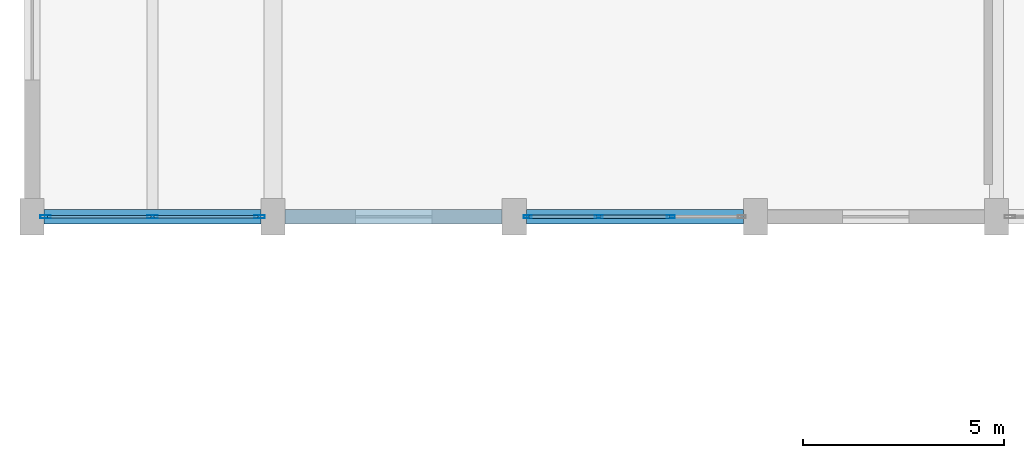
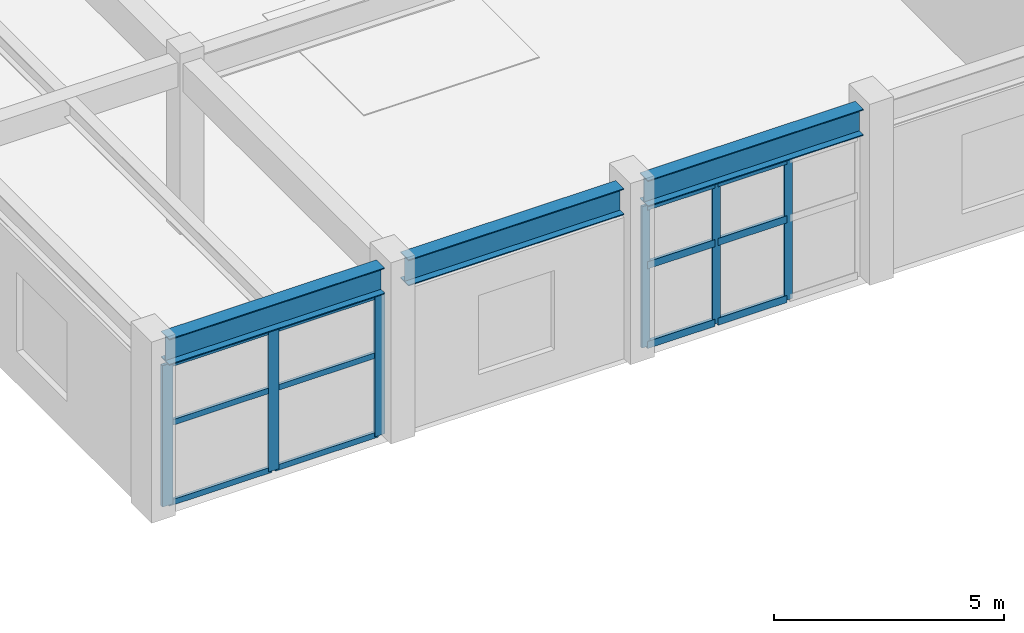
# One storey, part 8 of 80: 18 members, 3 beams, 2 elements without a shape of their own.
"""IFC4 building model written with IfcOpenShell, lengths in metres."""

from ifc_helpers import new_model, si_unit, direction, frame, origin, origin_2d, place, context, subcontext, project, spatial, hollow_rectangle, i_section, extrude, material, layer, layer_set, material_profile, profile_set, type_object, element, aggregate, save


model = new_model("IFC4")

# Units and contexts
model_context = context("Model", 3, precision=1e-05, world=origin(), true_north=direction((0.0, 1.0)))
body_context = subcontext(model_context, "Body", "Model", "MODEL_VIEW")
ifc_project = project(units=[si_unit("LENGTHUNIT", "METRE"), si_unit("AREAUNIT", "SQUARE_METRE"), si_unit("VOLUMEUNIT", "CUBIC_METRE"), si_unit("PLANEANGLEUNIT", "RADIAN"), si_unit("MASSUNIT", "GRAM", prefix="KILO")], contexts=[model_context])

# Site, building, storey
site_placement = place(None, origin())
site = spatial("IfcSite", under=ifc_project, at=site_placement, CompositionType="ELEMENT")
building_placement = place(site_placement, origin())
building = spatial("IfcBuilding", under=site, at=building_placement, Name="Vaelkrest Opera House", CompositionType="ELEMENT")
storey_placement = place(building_placement, frame((0.0, 0.0, 15.0)))
storey = spatial("IfcBuildingStorey", under=building, at=storey_placement, Name="L03", CompositionType="ELEMENT", Elevation=15.0)

# Curtain wall, members
ifc_material_1 = material(Name="Dark bronze anodized aluminium", Category="aluminium")
ifc_layer_1 = layer(ifc_material_1, 0.22998046875)
ifc_layer_set_1 = layer_set([ifc_layer_1], Name="Dark bronze anodized aluminium")
curtain_wall_type_1 = type_object("IfcCurtainWallType", Name="CW06", PredefinedType="NOTDEFINED", material=ifc_layer_set_1)
curtain_wall_1_placement = place(storey_placement, origin())
curtain_wall_1 = element("IfcCurtainWall", 1, at=curtain_wall_1_placement, inside=storey, type_object=curtain_wall_type_1, Name="Curtain wall CW-L03-127", PredefinedType="NOTDEFINED")
ifc_material_profile_1 = material_profile(ifc_material_1, hollow_rectangle(XDim=0.070068359375, YDim=0.199951171875, WallThickness=0.004150390625, at=origin_2d()), Name="CWM70X200")
ifc_profile_set_1 = profile_set([ifc_material_profile_1], Name="Dark bronze anodized aluminium")
member_type_1 = type_object("IfcMemberType", Name="CWM02", PredefinedType="MULLION", material=ifc_profile_set_1)
member_1_placement = place(storey_placement, frame((-59.69921875, -16.800048828125, 0.0), z_axis=(0.0, 0.0, 1.0), x_axis=(0.0, -1.0, 0.0)))
member_1 = element("IfcMember", 2, at=member_1_placement, type_object=member_type_1, Name="CW06 mullion 2", PredefinedType="MULLION", context=body_context, shape_type="SweptSolid", body=[
    extrude(hollow_rectangle(XDim=0.070068359375, YDim=0.199951171875, WallThickness=0.004150390625, at=origin_2d()), origin(), (0.0, 0.0, 1.0), 3.7451171875),
])
member_2_placement = place(storey_placement, frame((-61.500732421875, -16.800048828125, 0.0), z_axis=(0.0, 0.0, 1.0), x_axis=(0.0, -1.0, 0.0)))
member_2 = element("IfcMember", 3, at=member_2_placement, type_object=member_type_1, Name="CW06 mullion 3", PredefinedType="MULLION", context=body_context, shape_type="SweptSolid", body=[
    extrude(hollow_rectangle(XDim=0.070068359375, YDim=0.199951171875, WallThickness=0.004150390625, at=origin_2d()), origin(), (0.0, 0.0, 1.0), 3.7451171875),
])
member_3_placement = place(storey_placement, frame((-63.26708984375, -16.800048828125, 0.0), z_axis=(0.0, 0.0, 1.0), x_axis=(0.0, -1.0, 0.0)))
member_3 = element("IfcMember", 4, at=member_3_placement, type_object=member_type_1, Name="CW06 mullion 4", PredefinedType="MULLION", context=body_context, shape_type="SweptSolid", body=[
    extrude(hollow_rectangle(XDim=0.070068359375, YDim=0.199951171875, WallThickness=0.004150390625, at=origin_2d()), origin(), (0.0, 0.0, 1.0), 3.7451171875),
])

ifc_layer_2 = layer(ifc_material_1, 0.25)
ifc_layer_set_2 = layer_set([ifc_layer_2], Name="Dark bronze anodized aluminium")
curtain_wall_type_2 = type_object("IfcCurtainWallType", Name="CW08", PredefinedType="NOTDEFINED", material=ifc_layer_set_2)
curtain_wall_2_placement = place(storey_placement, origin())
curtain_wall_2 = element("IfcCurtainWall", 5, at=curtain_wall_2_placement, inside=storey, type_object=curtain_wall_type_2, Name="Curtain wall CW-L03-128", PredefinedType="NOTDEFINED")
ifc_material_profile_2 = material_profile(ifc_material_1, hollow_rectangle(XDim=0.080078125, YDim=0.260009765625, WallThickness=0.0048828125, at=origin_2d()), Name="CWM80X260")
ifc_profile_set_2 = profile_set([ifc_material_profile_2], Name="Dark bronze anodized aluminium")
member_type_2 = type_object("IfcMemberType", Name="CWM04", PredefinedType="MULLION", material=ifc_profile_set_2)
member_4_placement = place(storey_placement, frame((-69.93798828125, -16.800048828125, 0.0), z_axis=(0.0, 0.0, 1.0), x_axis=(0.0, -1.0, 0.0)))
member_4 = element("IfcMember", 6, at=member_4_placement, type_object=member_type_2, Name="CW08 mullion 1", PredefinedType="MULLION", context=body_context, shape_type="SweptSolid", body=[
    extrude(hollow_rectangle(XDim=0.080078125, YDim=0.260009765625, WallThickness=0.0048828125, at=origin_2d()), origin(), (0.0, 0.0, 1.0), 3.7451171875),
])
member_5_placement = place(storey_placement, frame((-72.60009765625, -16.800048828125, 0.0), z_axis=(0.0, 0.0, 1.0), x_axis=(0.0, -1.0, 0.0)))
member_5 = element("IfcMember", 7, at=member_5_placement, type_object=member_type_2, Name="CW08 mullion 2", PredefinedType="MULLION", context=body_context, shape_type="SweptSolid", body=[
    extrude(hollow_rectangle(XDim=0.080078125, YDim=0.260009765625, WallThickness=0.0048828125, at=origin_2d()), origin(), (0.0, 0.0, 1.0), 3.7451171875),
])
member_6_placement = place(storey_placement, frame((-75.261962890625, -16.800048828125, 0.0), z_axis=(0.0, 0.0, 1.0), x_axis=(0.0, -1.0, 0.0)))
member_6 = element("IfcMember", 8, at=member_6_placement, type_object=member_type_2, Name="CW08 mullion 3", PredefinedType="MULLION", context=body_context, shape_type="SweptSolid", body=[
    extrude(hollow_rectangle(XDim=0.080078125, YDim=0.260009765625, WallThickness=0.0048828125, at=origin_2d()), origin(), (0.0, 0.0, 1.0), 3.7451171875),
])
ifc_material_profile_3 = material_profile(ifc_material_1, hollow_rectangle(XDim=0.070068359375, YDim=0.14990234375, WallThickness=0.004150390625, at=origin_2d()), Name="CWT70X150")
ifc_profile_set_3 = profile_set([ifc_material_profile_3], Name="Dark bronze anodized aluminium")
member_type_3 = type_object("IfcMemberType", Name="CWT02", PredefinedType="USERDEFINED", material=ifc_profile_set_3)
member_7_placement = place(storey_placement, frame((-69.97802734375, -16.800048828125, 0.034912109375), z_axis=(-1.0, 0.0, 0.0), x_axis=(0.0, -1.0, 0.0)))
member_7 = element("IfcMember", 9, at=member_7_placement, type_object=member_type_3, Name="CW08 transom 1.1", ObjectType="TRANSOM", PredefinedType="USERDEFINED", context=body_context, shape_type="SweptSolid", body=[
    extrude(hollow_rectangle(XDim=0.070068359375, YDim=0.14990234375, WallThickness=0.004150390625, at=origin_2d()), origin(), (0.0, 0.0, 1.0), 2.58203125),
])
member_8_placement = place(storey_placement, frame((-69.97802734375, -16.800048828125, 2.14990234375), z_axis=(-1.0, 0.0, 0.0), x_axis=(0.0, -1.0, 0.0)))
member_8 = element("IfcMember", 10, at=member_8_placement, type_object=member_type_3, Name="CW08 transom 1.2", ObjectType="TRANSOM", PredefinedType="USERDEFINED", context=body_context, shape_type="SweptSolid", body=[
    extrude(hollow_rectangle(XDim=0.070068359375, YDim=0.14990234375, WallThickness=0.004150390625, at=origin_2d()), origin(), (0.0, 0.0, 1.0), 2.58203125),
])
member_9_placement = place(storey_placement, frame((-69.97802734375, -16.800048828125, 3.7099609375), z_axis=(-1.0, 0.0, 0.0), x_axis=(0.0, -1.0, 0.0)))
member_9 = element("IfcMember", 11, at=member_9_placement, type_object=member_type_3, Name="CW08 transom 1.3", ObjectType="TRANSOM", PredefinedType="USERDEFINED", context=body_context, shape_type="SweptSolid", body=[
    extrude(hollow_rectangle(XDim=0.070068359375, YDim=0.14990234375, WallThickness=0.004150390625, at=origin_2d()), origin(), (0.0, 0.0, 1.0), 2.58203125),
])
member_10_placement = place(storey_placement, frame((-72.639892578125, -16.800048828125, 0.034912109375), z_axis=(-1.0, 0.0, 0.0), x_axis=(0.0, -1.0, 0.0)))
member_10 = element("IfcMember", 12, at=member_10_placement, type_object=member_type_3, Name="CW08 transom 2.1", ObjectType="TRANSOM", PredefinedType="USERDEFINED", context=body_context, shape_type="SweptSolid", body=[
    extrude(hollow_rectangle(XDim=0.070068359375, YDim=0.14990234375, WallThickness=0.004150390625, at=origin_2d()), origin(), (0.0, 0.0, 1.0), 2.58203125),
])
member_11_placement = place(storey_placement, frame((-72.639892578125, -16.800048828125, 2.14990234375), z_axis=(-1.0, 0.0, 0.0), x_axis=(0.0, -1.0, 0.0)))
member_11 = element("IfcMember", 13, at=member_11_placement, type_object=member_type_3, Name="CW08 transom 2.2", ObjectType="TRANSOM", PredefinedType="USERDEFINED", context=body_context, shape_type="SweptSolid", body=[
    extrude(hollow_rectangle(XDim=0.070068359375, YDim=0.14990234375, WallThickness=0.004150390625, at=origin_2d()), origin(), (0.0, 0.0, 1.0), 2.58203125),
])
member_12_placement = place(storey_placement, frame((-72.639892578125, -16.800048828125, 3.7099609375), z_axis=(-1.0, 0.0, 0.0), x_axis=(0.0, -1.0, 0.0)))
member_12 = element("IfcMember", 14, at=member_12_placement, type_object=member_type_3, Name="CW08 transom 2.3", ObjectType="TRANSOM", PredefinedType="USERDEFINED", context=body_context, shape_type="SweptSolid", body=[
    extrude(hollow_rectangle(XDim=0.070068359375, YDim=0.14990234375, WallThickness=0.004150390625, at=origin_2d()), origin(), (0.0, 0.0, 1.0), 2.58203125),
])
aggregate(curtain_wall_2, [member_4, member_5, member_6, member_7, member_8, member_9, member_10, member_11, member_12])

# Member
ifc_material_profile_4 = material_profile(ifc_material_1, hollow_rectangle(XDim=0.080078125, YDim=0.18994140625, WallThickness=0.0048828125, at=origin_2d()), Name="CWT80X190")
ifc_profile_set_4 = profile_set([ifc_material_profile_4], Name="Dark bronze anodized aluminium")
member_type_4 = type_object("IfcMemberType", Name="CWT04", PredefinedType="USERDEFINED", material=ifc_profile_set_4)
member_13_placement = place(storey_placement, frame((-59.734375, -16.800048828125, 0.0400390625), z_axis=(-1.0, 0.0, 0.0), x_axis=(0.0, -1.0, 0.0)))
member_13 = element("IfcMember", 15, at=member_13_placement, type_object=member_type_4, Name="CW06 transom 2.1", ObjectType="TRANSOM", PredefinedType="USERDEFINED", context=body_context, shape_type="SweptSolid", body=[
    extrude(hollow_rectangle(XDim=0.080078125, YDim=0.18994140625, WallThickness=0.0048828125, at=origin_2d()), origin(), (0.0, 0.0, 1.0), 1.731201171875),
])

member_14_placement = place(storey_placement, frame((-59.734375, -16.800048828125, 2.14990234375), z_axis=(-1.0, 0.0, 0.0), x_axis=(0.0, -1.0, 0.0)))
member_14 = element("IfcMember", 16, at=member_14_placement, type_object=member_type_4, Name="CW06 transom 2.2", ObjectType="TRANSOM", PredefinedType="USERDEFINED", context=body_context, shape_type="SweptSolid", body=[
    extrude(hollow_rectangle(XDim=0.080078125, YDim=0.18994140625, WallThickness=0.0048828125, at=origin_2d()), origin(), (0.0, 0.0, 1.0), 1.731201171875),
])

member_15_placement = place(storey_placement, frame((-59.734375, -16.800048828125, 3.705078125), z_axis=(-1.0, 0.0, 0.0), x_axis=(0.0, -1.0, 0.0)))
member_15 = element("IfcMember", 17, at=member_15_placement, type_object=member_type_4, Name="CW06 transom 2.3", ObjectType="TRANSOM", PredefinedType="USERDEFINED", context=body_context, shape_type="SweptSolid", body=[
    extrude(hollow_rectangle(XDim=0.080078125, YDim=0.18994140625, WallThickness=0.0048828125, at=origin_2d()), origin(), (0.0, 0.0, 1.0), 1.731201171875),
])

member_16_placement = place(storey_placement, frame((-61.53564453125, -16.800048828125, 0.0400390625), z_axis=(-1.0, 0.0, 0.0), x_axis=(0.0, -1.0, 0.0)))
member_16 = element("IfcMember", 18, at=member_16_placement, type_object=member_type_4, Name="CW06 transom 3.1", ObjectType="TRANSOM", PredefinedType="USERDEFINED", context=body_context, shape_type="SweptSolid", body=[
    extrude(hollow_rectangle(XDim=0.080078125, YDim=0.18994140625, WallThickness=0.0048828125, at=origin_2d()), origin(), (0.0, 0.0, 1.0), 1.6962890625),
])

member_17_placement = place(storey_placement, frame((-61.53564453125, -16.800048828125, 2.14990234375), z_axis=(-1.0, 0.0, 0.0), x_axis=(0.0, -1.0, 0.0)))
member_17 = element("IfcMember", 19, at=member_17_placement, type_object=member_type_4, Name="CW06 transom 3.2", ObjectType="TRANSOM", PredefinedType="USERDEFINED", context=body_context, shape_type="SweptSolid", body=[
    extrude(hollow_rectangle(XDim=0.080078125, YDim=0.18994140625, WallThickness=0.0048828125, at=origin_2d()), origin(), (0.0, 0.0, 1.0), 1.6962890625),
])

member_18_placement = place(storey_placement, frame((-61.53564453125, -16.800048828125, 3.705078125), z_axis=(-1.0, 0.0, 0.0), x_axis=(0.0, -1.0, 0.0)))
member_18 = element("IfcMember", 20, at=member_18_placement, type_object=member_type_4, Name="CW06 transom 3.3", ObjectType="TRANSOM", PredefinedType="USERDEFINED", context=body_context, shape_type="SweptSolid", body=[
    extrude(hollow_rectangle(XDim=0.080078125, YDim=0.18994140625, WallThickness=0.0048828125, at=origin_2d()), origin(), (0.0, 0.0, 1.0), 1.6962890625),
])

aggregate(curtain_wall_1, [member_1, member_2, member_3, member_13, member_14, member_15, member_16, member_17, member_18])

# Beams
ifc_material_2 = material(Name="Steel A992 Gr50", Category="steel")
ifc_material_profile_5 = material_profile(ifc_material_2, i_section(OverallWidth=0.35498046875, OverallDepth=0.695068359375, WebThickness=0.015380859375, FlangeThickness=0.02490234375, at=origin_2d()), Name="W27X146")
ifc_profile_set_5 = profile_set([ifc_material_profile_5], Name="Steel A992 Gr50")
beam_type = type_object("IfcBeamType", Name="SP02", PredefinedType="SPANDREL", material=ifc_profile_set_5)
for number, where, z_axis, x_axis, name in (
    (21, (-75.300048828125, -16.800048828125, 4.157470703125), (1.0, 0.0, 0.0), (0.0, 1.0, 0.0), "Beam BM-V3-L03-1734"),
    (22, (-69.300048828125, -16.800048828125, 4.157470703125), (1.0, 0.0, 0.0), (0.0, 1.0, 0.0), "Beam BM-V3-L03-1735"),
    (23, (-63.300048828125, -16.800048828125, 4.157470703125), (1.0, 0.0, 0.0), (0.0, 1.0, 0.0), "Beam BM-V3-L03-1736"),
):
    element("IfcBeam", number, at=place(storey_placement, frame(where, z_axis=z_axis, x_axis=x_axis)), inside=storey, type_object=beam_type, Name=name, PredefinedType="SPANDREL", context=body_context, shape_type="SweptSolid", body=[
        extrude(i_section(OverallWidth=0.35498046875, OverallDepth=0.695068359375, WebThickness=0.015380859375, FlangeThickness=0.02490234375, at=origin_2d()), origin(), (0.0, 0.0, 1.0), 5.400146484375),
    ])

save(model, "model.ifc")
